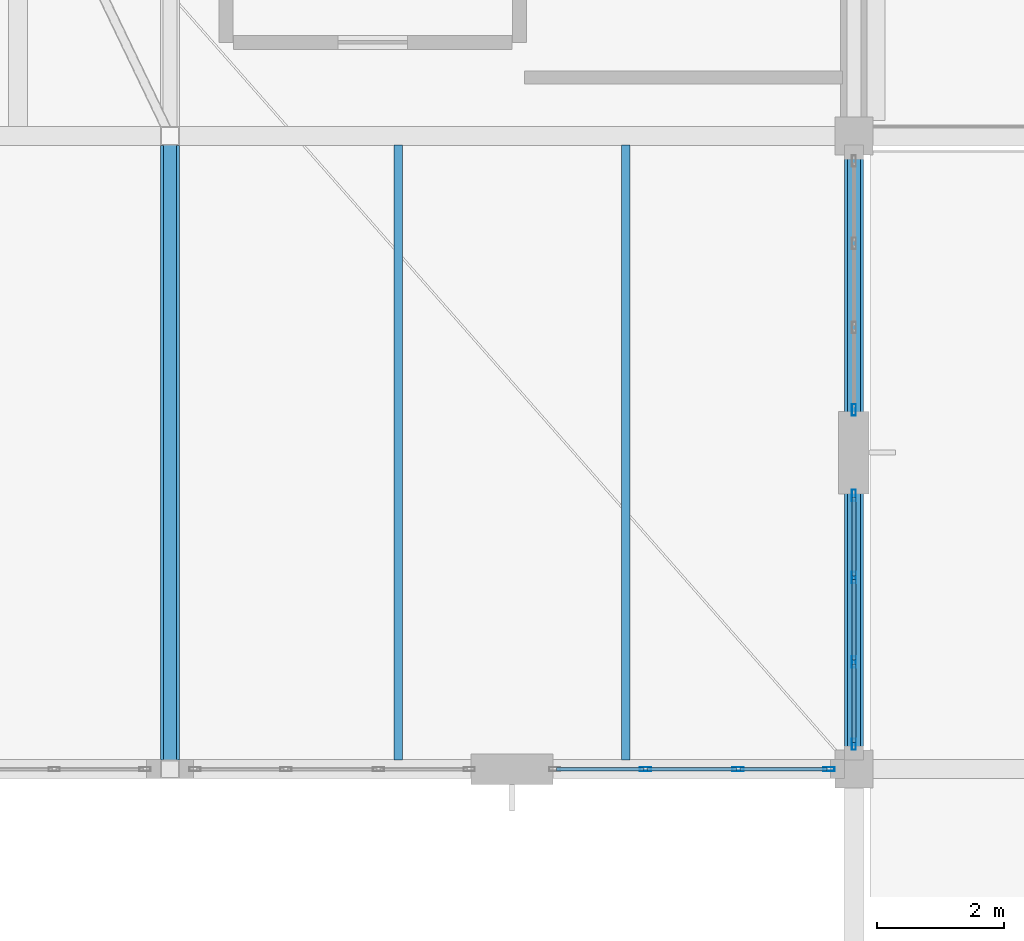
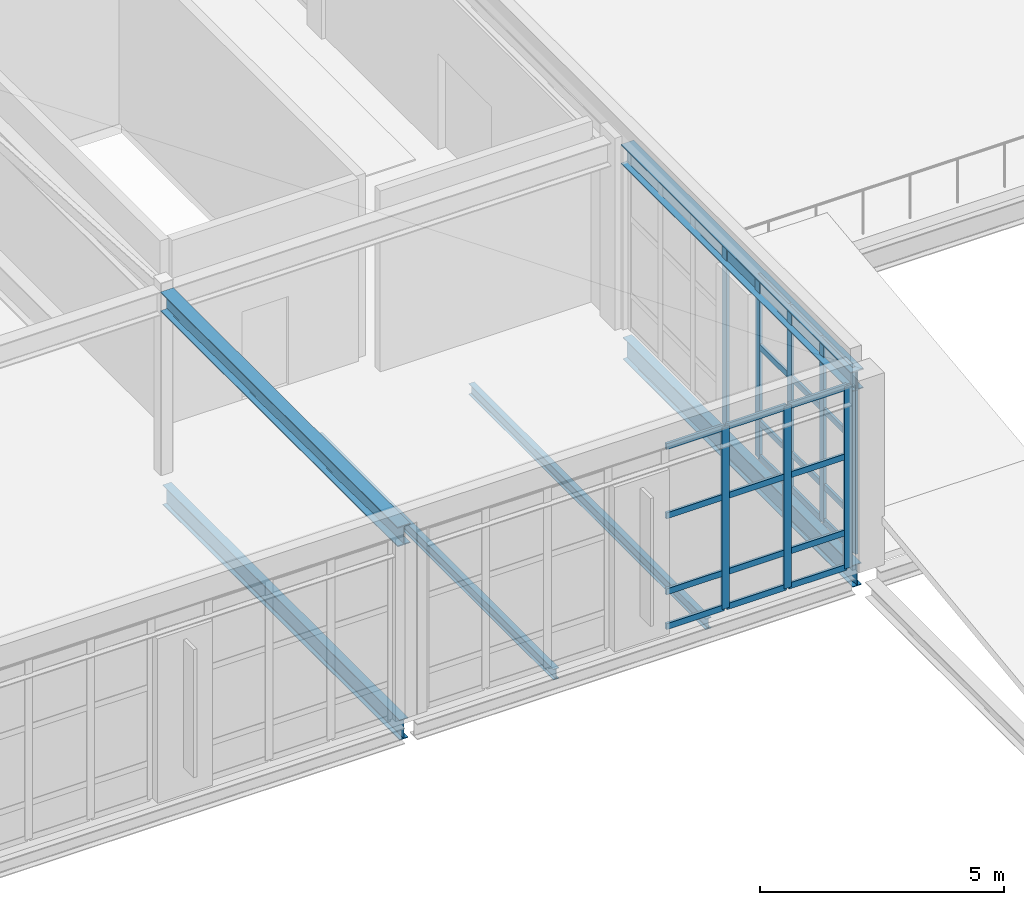
# One storey, part 32 of 86: 32 members, 6 beams, 3 elements without a shape of their own.
"""IFC4 building model written with IfcOpenShell, lengths in metres."""

from ifc_helpers import new_model, si_unit, direction, frame, origin, origin_2d, place, context, subcontext, project, spatial, hollow_rectangle, i_section, extrude, material, layer, layer_set, material_profile, profile_set, type_object, element, aggregate, save


model = new_model("IFC4")

# Units and contexts
model_context = context("Model", 3, precision=1e-05, world=origin(), true_north=direction((0.0, 1.0)))
body_context = subcontext(model_context, "Body", "Model", "MODEL_VIEW")
ifc_project = project(units=[si_unit("LENGTHUNIT", "METRE"), si_unit("AREAUNIT", "SQUARE_METRE"), si_unit("VOLUMEUNIT", "CUBIC_METRE"), si_unit("PLANEANGLEUNIT", "RADIAN"), si_unit("MASSUNIT", "GRAM", prefix="KILO")], contexts=[model_context])

# Site, building, storey
site_placement = place(None, origin())
site = spatial("IfcSite", under=ifc_project, at=site_placement, CompositionType="ELEMENT")
building_placement = place(site_placement, origin())
building = spatial("IfcBuilding", under=site, at=building_placement, Name="Tasgan Crest Museum", CompositionType="ELEMENT")
storey_placement = place(building_placement, frame((0.0, 0.0, 24.0)))
storey = spatial("IfcBuildingStorey", under=building, at=storey_placement, Name="L04", CompositionType="ELEMENT", Elevation=24.0)

# Beams
ifc_material_1 = material(Name="Steel S355J2", Category="steel")
ifc_material_profile_1 = material_profile(ifc_material_1, i_section(OverallWidth=0.300048828125, OverallDepth=0.489990234375, WebThickness=0.011962890625, FlangeThickness=0.02294921875, FilletRadius=0.027099609375, at=origin_2d()), Name="HEA 500")
ifc_profile_set_1 = profile_set([ifc_material_profile_1], Name="Steel S355J2")
beam_type_1 = type_object("IfcBeamType", Name="BM-G-HEA500", PredefinedType="BEAM", material=ifc_profile_set_1)
beam_1_placement = place(storey_placement, frame((97.199951171875, 40.14599609375, 4.35498046875), z_axis=(0.0, 1.0, 0.0), x_axis=(-1.0, 0.0, 0.0)))
element("IfcBeam", 1, at=beam_1_placement, inside=storey, type_object=beam_type_1, Name="Winter-garden roof beam 10 40-50", PredefinedType="BEAM", context=body_context, shape_type="SweptSolid", body=[
    extrude(i_section(OverallWidth=0.300048828125, OverallDepth=0.489990234375, WebThickness=0.011962890625, FlangeThickness=0.02294921875, FilletRadius=0.027099609375, at=origin_2d()), origin(), (0.0, 0.0, 1.0), 9.7080078125),
])
beam_2_placement = place(storey_placement, frame((108.0, 40.2958984375, 4.35498046875), z_axis=(0.0, 1.0, 0.0), x_axis=(-1.0, 0.0, 0.0)))
element("IfcBeam", 2, at=beam_2_placement, inside=storey, type_object=beam_type_1, Name="Winter-garden roof beam 11 40-50", PredefinedType="BEAM", context=body_context, shape_type="SweptSolid", body=[
    extrude(i_section(OverallWidth=0.300048828125, OverallDepth=0.489990234375, WebThickness=0.011962890625, FlangeThickness=0.02294921875, FilletRadius=0.027099609375, at=origin_2d()), origin(), (0.0, 0.0, 1.0), 9.408203125),
])
ifc_material_2 = material(Name="Steel S355J2", Category="steel")
ifc_material_profile_2 = material_profile(ifc_material_2, i_section(OverallWidth=0.199951171875, OverallDepth=0.5, WebThickness=0.01025390625, FlangeThickness=0.01611328125, FilletRadius=0.02099609375, at=origin_2d()), Name="IPE 500")
ifc_profile_set_2 = profile_set([ifc_material_profile_2], Name="Steel S355J2")
beam_type_2 = type_object("IfcBeamType", Name="BM-G-IPE500", PredefinedType="BEAM", material=ifc_profile_set_2)
beam_3_placement = place(storey_placement, frame((97.199951171875, 40.14501953125, -0.489990234375), z_axis=(0.0, 1.0, 0.0), x_axis=(-1.0, 0.0, 0.0)))
element("IfcBeam", 3, at=beam_3_placement, inside=storey, type_object=beam_type_2, Name="Beam L04 10 40.0-50.0", PredefinedType="BEAM", context=body_context, shape_type="SweptSolid", body=[
    extrude(i_section(OverallWidth=0.199951171875, OverallDepth=0.5, WebThickness=0.01025390625, FlangeThickness=0.01611328125, FilletRadius=0.02099609375, at=origin_2d()), origin(), (0.0, 0.0, 1.0), 9.7099609375),
])
ifc_material_3 = material(Name="Steel S355J2", Category="steel")
ifc_material_profile_3 = material_profile(ifc_material_3, i_section(OverallWidth=0.2099609375, OverallDepth=0.550048828125, WebThickness=0.010986328125, FlangeThickness=0.01708984375, FilletRadius=0.02392578125, at=origin_2d()), Name="IPE 550")
ifc_profile_set_3 = profile_set([ifc_material_profile_3], Name="Steel S355J2")
beam_type_3 = type_object("IfcBeamType", Name="BM-G-IPE550", PredefinedType="BEAM", material=ifc_profile_set_3)
beam_4_placement = place(storey_placement, frame((108.0, 40.294921875, -0.514892578125), z_axis=(0.0, 1.0, 0.0), x_axis=(-1.0, 0.0, 0.0)))
element("IfcBeam", 4, at=beam_4_placement, inside=storey, type_object=beam_type_3, Name="Beam L04 11 40.0-50.0", PredefinedType="BEAM", context=body_context, shape_type="SweptSolid", body=[
    extrude(i_section(OverallWidth=0.2099609375, OverallDepth=0.550048828125, WebThickness=0.010986328125, FlangeThickness=0.01708984375, FilletRadius=0.02392578125, at=origin_2d()), origin(), (0.0, 0.0, 1.0), 9.41015625),
])
ifc_material_4 = material(Name="Steel S355J2", Category="steel")
ifc_material_profile_4 = material_profile(ifc_material_4, i_section(OverallWidth=0.135009765625, OverallDepth=0.27001953125, WebThickness=0.006591796875, FlangeThickness=0.01025390625, FilletRadius=0.014892578125, at=origin_2d()), Name="IPE 270")
ifc_profile_set_4 = profile_set([ifc_material_profile_4], Name="Steel S355J2")
beam_type_4 = type_object("IfcBeamType", Name="BM-J-IPE270", PredefinedType="JOIST", material=ifc_profile_set_4)
for number, where, z_axis, x_axis, name in (
    (5, (100.800048828125, 40.14501953125, -0.375), (0.0, 1.0, 0.0), (-1.0, 0.0, 0.0), "Secondary joist L04 X=100.8 Y=40.0-50.0"),
    (6, (104.39990234375, 40.14501953125, -0.375), (0.0, 1.0, 0.0), (-1.0, 0.0, 0.0), "Secondary joist L04 X=104.4 Y=40.0-50.0"),
):
    element("IfcBeam", number, at=place(storey_placement, frame(where, z_axis=z_axis, x_axis=x_axis)), inside=storey, type_object=beam_type_4, Name=name, PredefinedType="JOIST", context=body_context, shape_type="SweptSolid", body=[
        extrude(i_section(OverallWidth=0.135009765625, OverallDepth=0.27001953125, WebThickness=0.006591796875, FlangeThickness=0.01025390625, FilletRadius=0.014892578125, at=origin_2d()), origin(), (0.0, 0.0, 1.0), 9.7099609375),
    ])

# Curtain wall, members
ifc_material_5 = material(Name="Triple-Glazed Aluminium Curtain Wall", Category="aluminium")
ifc_layer_1 = layer(ifc_material_5, 0.179931640625, Name="CW-DRUM-X-48")
ifc_layer_set_1 = layer_set([ifc_layer_1], Name="Triple-Glazed Aluminium Curtain Wall")
curtain_wall_type_1 = type_object("IfcCurtainWallType", Name="CW-DRUM-X-48", PredefinedType="NOTDEFINED", material=ifc_layer_set_1)
curtain_wall_1_placement = place(storey_placement, origin())
curtain_wall_1 = element("IfcCurtainWall", 7, at=curtain_wall_1_placement, inside=storey, type_object=curtain_wall_type_1, Name="Curtain wall L04 194", PredefinedType="NOTDEFINED")
ifc_material_6 = material(Name="Anodised Aluminium", Category="aluminium")
ifc_material_profile_5 = material_profile(ifc_material_6, hollow_rectangle(XDim=0.06494140625, YDim=0.179931640625, WallThickness=0.0048828125, at=origin_2d()), Name="ALU MULLION 180x65x5")
ifc_profile_set_5 = profile_set([ifc_material_profile_5], Name="Anodised Aluminium")
member_type_1 = type_object("IfcMemberType", Name="CW-MULLION-180", PredefinedType="MULLION", material=ifc_profile_set_5)
member_1_placement = place(storey_placement, frame((104.708251953125, 40.0, 0.0), z_axis=(0.0, 0.0, 1.0), x_axis=(0.0, 1.0, 0.0)))
member_1 = element("IfcMember", 8, at=member_1_placement, type_object=member_type_1, Name="CW03 mullion 2", PredefinedType="MULLION", context=body_context, shape_type="SweptSolid", body=[
    extrude(hollow_rectangle(XDim=0.06494140625, YDim=0.179931640625, WallThickness=0.0048828125, at=origin_2d()), origin(), (0.0, 0.0, 1.0), 4.56005859375),
])
member_2_placement = place(storey_placement, frame((106.171630859375, 40.0, 0.0), z_axis=(0.0, 0.0, 1.0), x_axis=(0.0, 1.0, 0.0)))
member_2 = element("IfcMember", 9, at=member_2_placement, type_object=member_type_1, Name="CW03 mullion 3", PredefinedType="MULLION", context=body_context, shape_type="SweptSolid", body=[
    extrude(hollow_rectangle(XDim=0.06494140625, YDim=0.179931640625, WallThickness=0.0048828125, at=origin_2d()), origin(), (0.0, 0.0, 1.0), 4.56005859375),
])
member_3_placement = place(storey_placement, frame((107.60498046875, 40.0, 0.0), z_axis=(0.0, 0.0, 1.0), x_axis=(0.0, 1.0, 0.0)))
member_3 = element("IfcMember", 10, at=member_3_placement, type_object=member_type_1, Name="CW03 mullion 4", PredefinedType="MULLION", context=body_context, shape_type="SweptSolid", body=[
    extrude(hollow_rectangle(XDim=0.06494140625, YDim=0.179931640625, WallThickness=0.0048828125, at=origin_2d()), origin(), (0.0, 0.0, 1.0), 4.56005859375),
])

ifc_material_7 = material(Name="Triple-Glazed Aluminium Curtain Wall", Category="aluminium")
ifc_layer_2 = layer(ifc_material_7, 0.179931640625, Name="CW-DRUM-Y10-48")
ifc_layer_set_2 = layer_set([ifc_layer_2], Name="Triple-Glazed Aluminium Curtain Wall")
curtain_wall_type_2 = type_object("IfcCurtainWallType", Name="CW-DRUM-Y10-48", PredefinedType="NOTDEFINED", material=ifc_layer_set_2)
curtain_wall_2_placement = place(storey_placement, origin())
curtain_wall_2 = element("IfcCurtainWall", 11, at=curtain_wall_2_placement, inside=storey, type_object=curtain_wall_type_2, Name="Curtain wall L04 195", PredefinedType="NOTDEFINED")
member_4_placement = place(storey_placement, frame((108.0, 40.39501953125, 0.0), z_axis=(0.0, 0.0, 1.0), x_axis=(-1.0, 0.0, 0.0)))
member_4 = element("IfcMember", 12, at=member_4_placement, type_object=member_type_1, Name="CW04 mullion 1", PredefinedType="MULLION", context=body_context, shape_type="SweptSolid", body=[
    extrude(hollow_rectangle(XDim=0.06494140625, YDim=0.179931640625, WallThickness=0.0048828125, at=origin_2d()), origin(), (0.0, 0.0, 1.0), 4.56005859375),
])
member_5_placement = place(storey_placement, frame((108.0, 41.695068359375, 0.0), z_axis=(0.0, 0.0, 1.0), x_axis=(-1.0, 0.0, 0.0)))
member_5 = element("IfcMember", 13, at=member_5_placement, type_object=member_type_1, Name="CW04 mullion 2", PredefinedType="MULLION", context=body_context, shape_type="SweptSolid", body=[
    extrude(hollow_rectangle(XDim=0.06494140625, YDim=0.179931640625, WallThickness=0.0048828125, at=origin_2d()), origin(), (0.0, 0.0, 1.0), 4.56005859375),
])
member_6_placement = place(storey_placement, frame((108.0, 43.02490234375, 0.0), z_axis=(0.0, 0.0, 1.0), x_axis=(-1.0, 0.0, 0.0)))
member_6 = element("IfcMember", 14, at=member_6_placement, type_object=member_type_1, Name="CW04 mullion 3", PredefinedType="MULLION", context=body_context, shape_type="SweptSolid", body=[
    extrude(hollow_rectangle(XDim=0.06494140625, YDim=0.179931640625, WallThickness=0.0048828125, at=origin_2d()), origin(), (0.0, 0.0, 1.0), 4.56005859375),
])
member_7_placement = place(storey_placement, frame((108.0, 44.324951171875, 0.0), z_axis=(0.0, 0.0, 1.0), x_axis=(-1.0, 0.0, 0.0)))
member_7 = element("IfcMember", 15, at=member_7_placement, type_object=member_type_1, Name="CW04 mullion 4", PredefinedType="MULLION", context=body_context, shape_type="SweptSolid", body=[
    extrude(hollow_rectangle(XDim=0.06494140625, YDim=0.179931640625, WallThickness=0.0048828125, at=origin_2d()), origin(), (0.0, 0.0, 1.0), 4.56005859375),
])

# Curtain wall, member
curtain_wall_3_placement = place(storey_placement, origin())
curtain_wall_3 = element("IfcCurtainWall", 16, at=curtain_wall_3_placement, inside=storey, type_object=curtain_wall_type_2, Name="Curtain wall L04 196", PredefinedType="NOTDEFINED")
member_8_placement = place(storey_placement, frame((108.0, 45.675048828125, 0.0), z_axis=(0.0, 0.0, 1.0), x_axis=(-1.0, 0.0, 0.0)))
member_8 = element("IfcMember", 17, at=member_8_placement, type_object=member_type_1, Name="CW04 mullion 1", PredefinedType="MULLION", context=body_context, shape_type="SweptSolid", body=[
    extrude(hollow_rectangle(XDim=0.06494140625, YDim=0.179931640625, WallThickness=0.0048828125, at=origin_2d()), origin(), (0.0, 0.0, 1.0), 4.56005859375),
])
aggregate(curtain_wall_3, [member_8])

# Member
ifc_material_8 = material(Name="Anodised Aluminium", Category="aluminium")
ifc_material_profile_6 = material_profile(ifc_material_8, hollow_rectangle(XDim=0.06005859375, YDim=0.14990234375, WallThickness=0.0048828125, at=origin_2d()), Name="ALU TRANSOM 150x60x5")
ifc_profile_set_6 = profile_set([ifc_material_profile_6], Name="Anodised Aluminium")
member_type_2 = type_object("IfcMemberType", Name="CW-TRANSOM-150", PredefinedType="USERDEFINED", material=ifc_profile_set_6)
member_9_placement = place(storey_placement, frame((103.304931640625, 40.0, 0.030029296875), z_axis=(1.0, 0.0, 0.0), x_axis=(0.0, 1.0, 0.0)))
member_9 = element("IfcMember", 18, at=member_9_placement, type_object=member_type_2, Name="CW03 transom 1.1", ObjectType="TRANSOM", PredefinedType="USERDEFINED", context=body_context, shape_type="SweptSolid", body=[
    extrude(hollow_rectangle(XDim=0.06005859375, YDim=0.14990234375, WallThickness=0.0048828125, at=origin_2d()), origin(), (0.0, 0.0, 1.0), 1.373291015625),
])

member_10_placement = place(storey_placement, frame((103.304931640625, 40.0, 0.89990234375), z_axis=(1.0, 0.0, 0.0), x_axis=(0.0, 1.0, 0.0)))
member_10 = element("IfcMember", 19, at=member_10_placement, type_object=member_type_2, Name="CW03 transom 1.2", ObjectType="TRANSOM", PredefinedType="USERDEFINED", context=body_context, shape_type="SweptSolid", body=[
    extrude(hollow_rectangle(XDim=0.06005859375, YDim=0.14990234375, WallThickness=0.0048828125, at=origin_2d()), origin(), (0.0, 0.0, 1.0), 1.373291015625),
])

member_11_placement = place(storey_placement, frame((103.304931640625, 40.0, 2.800048828125), z_axis=(1.0, 0.0, 0.0), x_axis=(0.0, 1.0, 0.0)))
member_11 = element("IfcMember", 20, at=member_11_placement, type_object=member_type_2, Name="CW03 transom 1.3", ObjectType="TRANSOM", PredefinedType="USERDEFINED", context=body_context, shape_type="SweptSolid", body=[
    extrude(hollow_rectangle(XDim=0.06005859375, YDim=0.14990234375, WallThickness=0.0048828125, at=origin_2d()), origin(), (0.0, 0.0, 1.0), 1.373291015625),
])

member_12_placement = place(storey_placement, frame((103.304931640625, 40.0, 4.530029296875), z_axis=(1.0, 0.0, 0.0), x_axis=(0.0, 1.0, 0.0)))
member_12 = element("IfcMember", 21, at=member_12_placement, type_object=member_type_2, Name="CW03 transom 1.4", ObjectType="TRANSOM", PredefinedType="USERDEFINED", context=body_context, shape_type="SweptSolid", body=[
    extrude(hollow_rectangle(XDim=0.06005859375, YDim=0.14990234375, WallThickness=0.0048828125, at=origin_2d()), origin(), (0.0, 0.0, 1.0), 1.373291015625),
])

member_13_placement = place(storey_placement, frame((104.73828125, 40.0, 0.030029296875), z_axis=(1.0, 0.0, 0.0), x_axis=(0.0, 1.0, 0.0)))
member_13 = element("IfcMember", 22, at=member_13_placement, type_object=member_type_2, Name="CW03 transom 2.1", ObjectType="TRANSOM", PredefinedType="USERDEFINED", context=body_context, shape_type="SweptSolid", body=[
    extrude(hollow_rectangle(XDim=0.06005859375, YDim=0.14990234375, WallThickness=0.0048828125, at=origin_2d()), origin(), (0.0, 0.0, 1.0), 1.4033203125),
])

member_14_placement = place(storey_placement, frame((104.73828125, 40.0, 0.89990234375), z_axis=(1.0, 0.0, 0.0), x_axis=(0.0, 1.0, 0.0)))
member_14 = element("IfcMember", 23, at=member_14_placement, type_object=member_type_2, Name="CW03 transom 2.2", ObjectType="TRANSOM", PredefinedType="USERDEFINED", context=body_context, shape_type="SweptSolid", body=[
    extrude(hollow_rectangle(XDim=0.06005859375, YDim=0.14990234375, WallThickness=0.0048828125, at=origin_2d()), origin(), (0.0, 0.0, 1.0), 1.4033203125),
])

member_15_placement = place(storey_placement, frame((104.73828125, 40.0, 2.800048828125), z_axis=(1.0, 0.0, 0.0), x_axis=(0.0, 1.0, 0.0)))
member_15 = element("IfcMember", 24, at=member_15_placement, type_object=member_type_2, Name="CW03 transom 2.3", ObjectType="TRANSOM", PredefinedType="USERDEFINED", context=body_context, shape_type="SweptSolid", body=[
    extrude(hollow_rectangle(XDim=0.06005859375, YDim=0.14990234375, WallThickness=0.0048828125, at=origin_2d()), origin(), (0.0, 0.0, 1.0), 1.4033203125),
])

member_16_placement = place(storey_placement, frame((104.73828125, 40.0, 4.530029296875), z_axis=(1.0, 0.0, 0.0), x_axis=(0.0, 1.0, 0.0)))
member_16 = element("IfcMember", 25, at=member_16_placement, type_object=member_type_2, Name="CW03 transom 2.4", ObjectType="TRANSOM", PredefinedType="USERDEFINED", context=body_context, shape_type="SweptSolid", body=[
    extrude(hollow_rectangle(XDim=0.06005859375, YDim=0.14990234375, WallThickness=0.0048828125, at=origin_2d()), origin(), (0.0, 0.0, 1.0), 1.4033203125),
])

member_17_placement = place(storey_placement, frame((106.20166015625, 40.0, 0.030029296875), z_axis=(1.0, 0.0, 0.0), x_axis=(0.0, 1.0, 0.0)))
member_17 = element("IfcMember", 26, at=member_17_placement, type_object=member_type_2, Name="CW03 transom 3.1", ObjectType="TRANSOM", PredefinedType="USERDEFINED", context=body_context, shape_type="SweptSolid", body=[
    extrude(hollow_rectangle(XDim=0.06005859375, YDim=0.14990234375, WallThickness=0.0048828125, at=origin_2d()), origin(), (0.0, 0.0, 1.0), 1.373291015625),
])

member_18_placement = place(storey_placement, frame((106.20166015625, 40.0, 0.89990234375), z_axis=(1.0, 0.0, 0.0), x_axis=(0.0, 1.0, 0.0)))
member_18 = element("IfcMember", 27, at=member_18_placement, type_object=member_type_2, Name="CW03 transom 3.2", ObjectType="TRANSOM", PredefinedType="USERDEFINED", context=body_context, shape_type="SweptSolid", body=[
    extrude(hollow_rectangle(XDim=0.06005859375, YDim=0.14990234375, WallThickness=0.0048828125, at=origin_2d()), origin(), (0.0, 0.0, 1.0), 1.373291015625),
])

member_19_placement = place(storey_placement, frame((106.20166015625, 40.0, 2.800048828125), z_axis=(1.0, 0.0, 0.0), x_axis=(0.0, 1.0, 0.0)))
member_19 = element("IfcMember", 28, at=member_19_placement, type_object=member_type_2, Name="CW03 transom 3.3", ObjectType="TRANSOM", PredefinedType="USERDEFINED", context=body_context, shape_type="SweptSolid", body=[
    extrude(hollow_rectangle(XDim=0.06005859375, YDim=0.14990234375, WallThickness=0.0048828125, at=origin_2d()), origin(), (0.0, 0.0, 1.0), 1.373291015625),
])

member_20_placement = place(storey_placement, frame((106.20166015625, 40.0, 4.530029296875), z_axis=(1.0, 0.0, 0.0), x_axis=(0.0, 1.0, 0.0)))
member_20 = element("IfcMember", 29, at=member_20_placement, type_object=member_type_2, Name="CW03 transom 3.4", ObjectType="TRANSOM", PredefinedType="USERDEFINED", context=body_context, shape_type="SweptSolid", body=[
    extrude(hollow_rectangle(XDim=0.06005859375, YDim=0.14990234375, WallThickness=0.0048828125, at=origin_2d()), origin(), (0.0, 0.0, 1.0), 1.373291015625),
])

aggregate(curtain_wall_1, [member_1, member_2, member_3, member_9, member_10, member_11, member_12, member_13, member_14, member_15, member_16, member_17, member_18, member_19, member_20])

member_21_placement = place(storey_placement, frame((108.0, 40.425048828125, 0.030029296875), z_axis=(0.0, 1.0, 0.0), x_axis=(-1.0, 0.0, 0.0)))
member_21 = element("IfcMember", 30, at=member_21_placement, type_object=member_type_2, Name="CW04 transom 1.1", ObjectType="TRANSOM", PredefinedType="USERDEFINED", context=body_context, shape_type="SweptSolid", body=[
    extrude(hollow_rectangle(XDim=0.06005859375, YDim=0.14990234375, WallThickness=0.0048828125, at=origin_2d()), origin(), (0.0, 0.0, 1.0), 1.239990234375),
])

member_22_placement = place(storey_placement, frame((108.0, 40.425048828125, 0.89990234375), z_axis=(0.0, 1.0, 0.0), x_axis=(-1.0, 0.0, 0.0)))
member_22 = element("IfcMember", 31, at=member_22_placement, type_object=member_type_2, Name="CW04 transom 1.2", ObjectType="TRANSOM", PredefinedType="USERDEFINED", context=body_context, shape_type="SweptSolid", body=[
    extrude(hollow_rectangle(XDim=0.06005859375, YDim=0.14990234375, WallThickness=0.0048828125, at=origin_2d()), origin(), (0.0, 0.0, 1.0), 1.239990234375),
])

member_23_placement = place(storey_placement, frame((108.0, 40.425048828125, 2.800048828125), z_axis=(0.0, 1.0, 0.0), x_axis=(-1.0, 0.0, 0.0)))
member_23 = element("IfcMember", 32, at=member_23_placement, type_object=member_type_2, Name="CW04 transom 1.3", ObjectType="TRANSOM", PredefinedType="USERDEFINED", context=body_context, shape_type="SweptSolid", body=[
    extrude(hollow_rectangle(XDim=0.06005859375, YDim=0.14990234375, WallThickness=0.0048828125, at=origin_2d()), origin(), (0.0, 0.0, 1.0), 1.239990234375),
])

member_24_placement = place(storey_placement, frame((108.0, 40.425048828125, 4.530029296875), z_axis=(0.0, 1.0, 0.0), x_axis=(-1.0, 0.0, 0.0)))
member_24 = element("IfcMember", 33, at=member_24_placement, type_object=member_type_2, Name="CW04 transom 1.4", ObjectType="TRANSOM", PredefinedType="USERDEFINED", context=body_context, shape_type="SweptSolid", body=[
    extrude(hollow_rectangle(XDim=0.06005859375, YDim=0.14990234375, WallThickness=0.0048828125, at=origin_2d()), origin(), (0.0, 0.0, 1.0), 1.239990234375),
])

member_25_placement = place(storey_placement, frame((108.0, 41.72509765625, 0.030029296875), z_axis=(0.0, 1.0, 0.0), x_axis=(-1.0, 0.0, 0.0)))
member_25 = element("IfcMember", 34, at=member_25_placement, type_object=member_type_2, Name="CW04 transom 2.1", ObjectType="TRANSOM", PredefinedType="USERDEFINED", context=body_context, shape_type="SweptSolid", body=[
    extrude(hollow_rectangle(XDim=0.06005859375, YDim=0.14990234375, WallThickness=0.0048828125, at=origin_2d()), origin(), (0.0, 0.0, 1.0), 1.27001953125),
])

member_26_placement = place(storey_placement, frame((108.0, 41.72509765625, 0.89990234375), z_axis=(0.0, 1.0, 0.0), x_axis=(-1.0, 0.0, 0.0)))
member_26 = element("IfcMember", 35, at=member_26_placement, type_object=member_type_2, Name="CW04 transom 2.2", ObjectType="TRANSOM", PredefinedType="USERDEFINED", context=body_context, shape_type="SweptSolid", body=[
    extrude(hollow_rectangle(XDim=0.06005859375, YDim=0.14990234375, WallThickness=0.0048828125, at=origin_2d()), origin(), (0.0, 0.0, 1.0), 1.27001953125),
])

member_27_placement = place(storey_placement, frame((108.0, 41.72509765625, 2.800048828125), z_axis=(0.0, 1.0, 0.0), x_axis=(-1.0, 0.0, 0.0)))
member_27 = element("IfcMember", 36, at=member_27_placement, type_object=member_type_2, Name="CW04 transom 2.3", ObjectType="TRANSOM", PredefinedType="USERDEFINED", context=body_context, shape_type="SweptSolid", body=[
    extrude(hollow_rectangle(XDim=0.06005859375, YDim=0.14990234375, WallThickness=0.0048828125, at=origin_2d()), origin(), (0.0, 0.0, 1.0), 1.27001953125),
])

member_28_placement = place(storey_placement, frame((108.0, 41.72509765625, 4.530029296875), z_axis=(0.0, 1.0, 0.0), x_axis=(-1.0, 0.0, 0.0)))
member_28 = element("IfcMember", 37, at=member_28_placement, type_object=member_type_2, Name="CW04 transom 2.4", ObjectType="TRANSOM", PredefinedType="USERDEFINED", context=body_context, shape_type="SweptSolid", body=[
    extrude(hollow_rectangle(XDim=0.06005859375, YDim=0.14990234375, WallThickness=0.0048828125, at=origin_2d()), origin(), (0.0, 0.0, 1.0), 1.27001953125),
])

member_29_placement = place(storey_placement, frame((108.0, 43.054931640625, 0.030029296875), z_axis=(0.0, 1.0, 0.0), x_axis=(-1.0, 0.0, 0.0)))
member_29 = element("IfcMember", 38, at=member_29_placement, type_object=member_type_2, Name="CW04 transom 3.1", ObjectType="TRANSOM", PredefinedType="USERDEFINED", context=body_context, shape_type="SweptSolid", body=[
    extrude(hollow_rectangle(XDim=0.06005859375, YDim=0.14990234375, WallThickness=0.0048828125, at=origin_2d()), origin(), (0.0, 0.0, 1.0), 1.239990234375),
])

member_30_placement = place(storey_placement, frame((108.0, 43.054931640625, 0.89990234375), z_axis=(0.0, 1.0, 0.0), x_axis=(-1.0, 0.0, 0.0)))
member_30 = element("IfcMember", 39, at=member_30_placement, type_object=member_type_2, Name="CW04 transom 3.2", ObjectType="TRANSOM", PredefinedType="USERDEFINED", context=body_context, shape_type="SweptSolid", body=[
    extrude(hollow_rectangle(XDim=0.06005859375, YDim=0.14990234375, WallThickness=0.0048828125, at=origin_2d()), origin(), (0.0, 0.0, 1.0), 1.239990234375),
])

member_31_placement = place(storey_placement, frame((108.0, 43.054931640625, 2.800048828125), z_axis=(0.0, 1.0, 0.0), x_axis=(-1.0, 0.0, 0.0)))
member_31 = element("IfcMember", 40, at=member_31_placement, type_object=member_type_2, Name="CW04 transom 3.3", ObjectType="TRANSOM", PredefinedType="USERDEFINED", context=body_context, shape_type="SweptSolid", body=[
    extrude(hollow_rectangle(XDim=0.06005859375, YDim=0.14990234375, WallThickness=0.0048828125, at=origin_2d()), origin(), (0.0, 0.0, 1.0), 1.239990234375),
])

member_32_placement = place(storey_placement, frame((108.0, 43.054931640625, 4.530029296875), z_axis=(0.0, 1.0, 0.0), x_axis=(-1.0, 0.0, 0.0)))
member_32 = element("IfcMember", 41, at=member_32_placement, type_object=member_type_2, Name="CW04 transom 3.4", ObjectType="TRANSOM", PredefinedType="USERDEFINED", context=body_context, shape_type="SweptSolid", body=[
    extrude(hollow_rectangle(XDim=0.06005859375, YDim=0.14990234375, WallThickness=0.0048828125, at=origin_2d()), origin(), (0.0, 0.0, 1.0), 1.239990234375),
])

aggregate(curtain_wall_2, [member_4, member_5, member_6, member_7, member_21, member_22, member_23, member_24, member_25, member_26, member_27, member_28, member_29, member_30, member_31, member_32])

save(model, "model.ifc")
